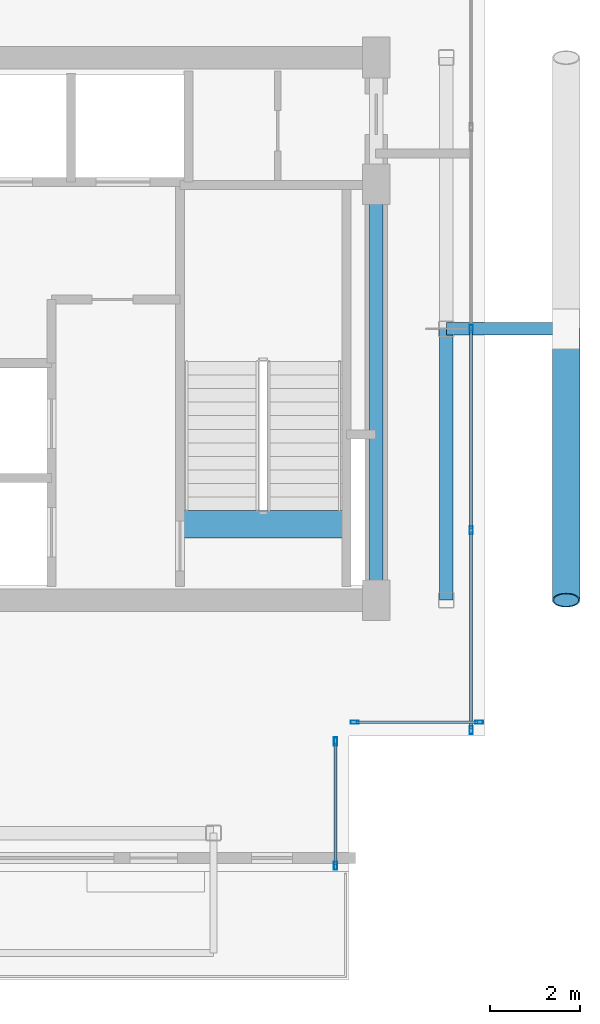
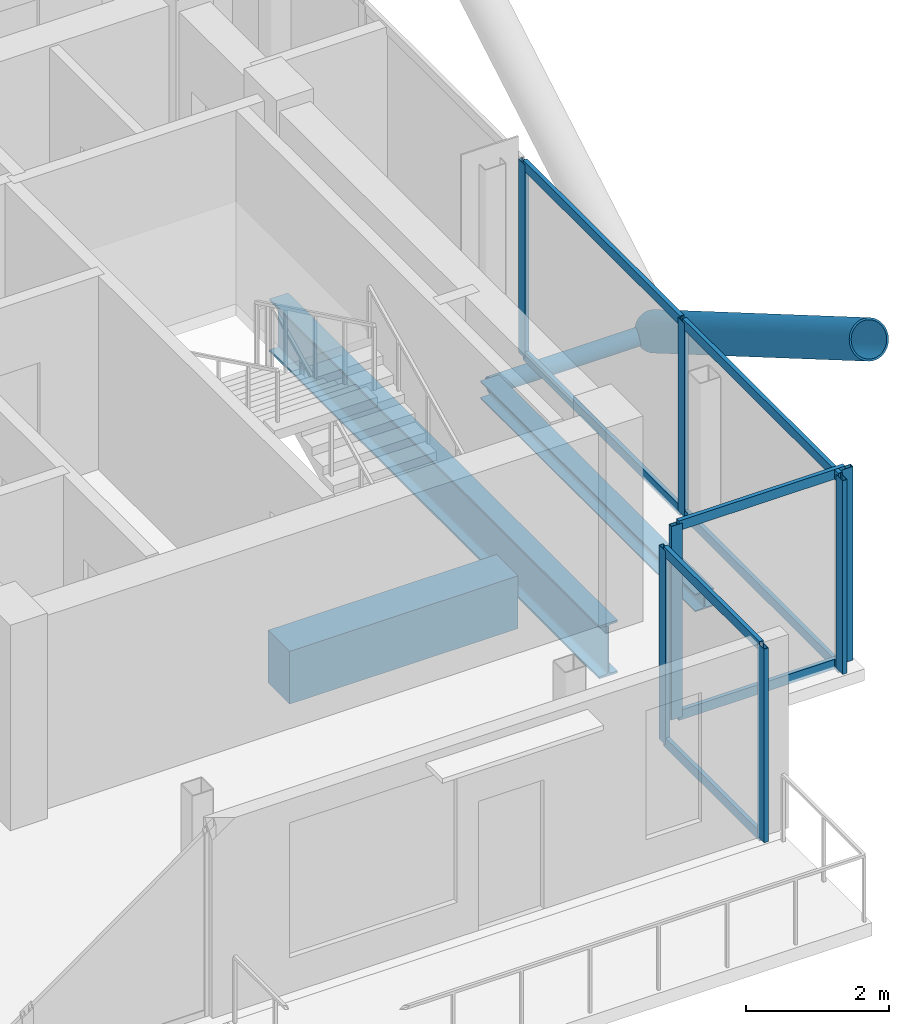
# One storey, part 11 of 18: 17 members, 3 beams, 3 elements without a shape of their own.
"""IFC4 building model written with IfcOpenShell, lengths in metres."""

from ifc_helpers import new_model, si_unit, direction, frame, origin, origin_2d, place, context, subcontext, project, spatial, rectangle, hollow_rectangle, hollow_circle, i_section, extrude, material, layer, layer_set, material_profile, profile_set, type_object, element, aggregate, save


model = new_model("IFC4")

# Units and contexts
model_context = context("Model", 3, precision=1e-05, world=origin(), true_north=direction((0.0, 1.0)))
body_context = subcontext(model_context, "Body", "Model", "MODEL_VIEW")
ifc_project = project(units=[si_unit("LENGTHUNIT", "METRE"), si_unit("AREAUNIT", "SQUARE_METRE"), si_unit("VOLUMEUNIT", "CUBIC_METRE"), si_unit("PLANEANGLEUNIT", "RADIAN"), si_unit("MASSUNIT", "GRAM", prefix="KILO"), si_unit("THERMODYNAMICTEMPERATUREUNIT", "KELVIN"), si_unit("POWERUNIT", "WATT")], contexts=[model_context])

# Site, building, storey
site_placement = place(None, origin())
site = spatial("IfcSite", under=ifc_project, at=site_placement, CompositionType="ELEMENT")
building_placement = place(site_placement, origin())
building = spatial("IfcBuilding", under=site, at=building_placement, Name="Svarakhadi Broadcast Tower", CompositionType="ELEMENT")
storey_placement = place(building_placement, frame((0.0, 0.0, 246.699951171875)))
storey = spatial("IfcBuildingStorey", under=building, at=storey_placement, Name="L61", CompositionType="ELEMENT", Elevation=246.699951171875)

# Curtain wall, members
ifc_material_1 = material(Name="Anodised Bronze Aluminium AA 6063-T6", Category="aluminium")
ifc_layer = layer(ifc_material_1, 0.179931640625)
ifc_layer_set = layer_set([ifc_layer], Name="Anodised Bronze Aluminium AA 6063-T6")
curtain_wall_type = type_object("IfcCurtainWallType", Name="CW_Sys_05", PredefinedType="NOTDEFINED", material=ifc_layer_set)
curtain_wall_1_placement = place(storey_placement, origin())
curtain_wall_1 = element("IfcCurtainWall", 1, at=curtain_wall_1_placement, inside=storey, type_object=curtain_wall_type, Name="L61 Unitised Facade Curtain Wall 12", PredefinedType="NOTDEFINED")
ifc_material_profile_1 = material_profile(ifc_material_1, hollow_rectangle(XDim=0.070068359375, YDim=0.179931640625, WallThickness=0.005615234375, at=origin_2d()), Name="ALU MULLION 180x70x6")
ifc_profile_set_1 = profile_set([ifc_material_profile_1], Name="Anodised Bronze Aluminium AA 6063-T6")
member_type_1 = type_object("IfcMemberType", Name="CW_Sys_05_Mul", PredefinedType="MULLION", material=ifc_profile_set_1)
member_1_placement = place(storey_placement, frame((35.699951171875, 12.0, 0.0), z_axis=(0.0, 0.0, 1.0), x_axis=(1.0, 0.0, 0.0)))
member_1 = element("IfcMember", 2, at=member_1_placement, type_object=member_type_1, Name="CW-05 mullion 3", PredefinedType="MULLION", context=body_context, shape_type="SweptSolid", body=[
    extrude(hollow_rectangle(XDim=0.070068359375, YDim=0.179931640625, WallThickness=0.005615234375, at=origin_2d()), origin(), (0.0, 0.0, 1.0), 3.300048828125),
])
member_2_placement = place(storey_placement, frame((35.699951171875, 7.544921875, 0.0), z_axis=(0.0, 0.0, 1.0), x_axis=(1.0, 0.0, 0.0)))
member_2 = element("IfcMember", 3, at=member_2_placement, type_object=member_type_1, Name="CW-05 mullion 4", PredefinedType="MULLION", context=body_context, shape_type="SweptSolid", body=[
    extrude(hollow_rectangle(XDim=0.070068359375, YDim=0.179931640625, WallThickness=0.005615234375, at=origin_2d()), origin(), (0.0, 0.0, 1.0), 3.300048828125),
])
member_3_placement = place(storey_placement, frame((35.699951171875, 3.125, 0.0), z_axis=(0.0, 0.0, 1.0), x_axis=(1.0, 0.0, 0.0)))
member_3 = element("IfcMember", 4, at=member_3_placement, type_object=member_type_1, Name="CW-05 mullion 5", PredefinedType="MULLION", context=body_context, shape_type="SweptSolid", body=[
    extrude(hollow_rectangle(XDim=0.070068359375, YDim=0.179931640625, WallThickness=0.005615234375, at=origin_2d()), origin(), (0.0, 0.0, 1.0), 3.300048828125),
])

curtain_wall_2_placement = place(storey_placement, origin())
curtain_wall_2 = element("IfcCurtainWall", 5, at=curtain_wall_2_placement, inside=storey, type_object=curtain_wall_type, Name="L61 Unitised Facade Curtain Wall 13", PredefinedType="NOTDEFINED")
member_4_placement = place(storey_placement, frame((35.875, 3.300048828125, 0.0), z_axis=(0.0, 0.0, 1.0), x_axis=(0.0, -1.0, 0.0)))
member_4 = element("IfcMember", 6, at=member_4_placement, type_object=member_type_1, Name="CW-05 mullion 1", PredefinedType="MULLION", context=body_context, shape_type="SweptSolid", body=[
    extrude(hollow_rectangle(XDim=0.070068359375, YDim=0.179931640625, WallThickness=0.005615234375, at=origin_2d()), origin(), (0.0, 0.0, 1.0), 3.300048828125),
])
member_5_placement = place(storey_placement, frame((33.125, 3.300048828125, 0.0), z_axis=(0.0, 0.0, 1.0), x_axis=(0.0, -1.0, 0.0)))
member_5 = element("IfcMember", 7, at=member_5_placement, type_object=member_type_1, Name="CW-05 mullion 2", PredefinedType="MULLION", context=body_context, shape_type="SweptSolid", body=[
    extrude(hollow_rectangle(XDim=0.070068359375, YDim=0.179931640625, WallThickness=0.005615234375, at=origin_2d()), origin(), (0.0, 0.0, 1.0), 3.300048828125),
])

curtain_wall_3_placement = place(storey_placement, origin())
curtain_wall_3 = element("IfcCurtainWall", 8, at=curtain_wall_3_placement, inside=storey, type_object=curtain_wall_type, Name="L61 Unitised Facade Curtain Wall 14", PredefinedType="NOTDEFINED")
member_6_placement = place(storey_placement, frame((32.699951171875, 2.875, 0.0), z_axis=(0.0, 0.0, 1.0), x_axis=(1.0, 0.0, 0.0)))
member_6 = element("IfcMember", 9, at=member_6_placement, type_object=member_type_1, Name="CW-05 mullion 1", PredefinedType="MULLION", context=body_context, shape_type="SweptSolid", body=[
    extrude(hollow_rectangle(XDim=0.070068359375, YDim=0.179931640625, WallThickness=0.005615234375, at=origin_2d()), origin(), (0.0, 0.0, 1.0), 3.300048828125),
])
member_7_placement = place(storey_placement, frame((32.699951171875, 0.125, 0.0), z_axis=(0.0, 0.0, 1.0), x_axis=(1.0, 0.0, 0.0)))
member_7 = element("IfcMember", 10, at=member_7_placement, type_object=member_type_1, Name="CW-05 mullion 2", PredefinedType="MULLION", context=body_context, shape_type="SweptSolid", body=[
    extrude(hollow_rectangle(XDim=0.070068359375, YDim=0.179931640625, WallThickness=0.005615234375, at=origin_2d()), origin(), (0.0, 0.0, 1.0), 3.300048828125),
])

# Member
ifc_material_profile_2 = material_profile(ifc_material_1, hollow_rectangle(XDim=0.06494140625, YDim=0.1650390625, WallThickness=0.0048828125, at=origin_2d()), Name="ALU TRANSOM 165x65x5")
ifc_profile_set_2 = profile_set([ifc_material_profile_2], Name="Anodised Bronze Aluminium AA 6063-T6")
member_type_2 = type_object("IfcMemberType", Name="CW_Sys_05_Trn", PredefinedType="USERDEFINED", material=ifc_profile_set_2)
member_8_placement = place(storey_placement, frame((35.699951171875, 11.965087890625, 0.032470703125), z_axis=(0.0, -1.0, 0.0), x_axis=(1.0, 0.0, 0.0)))
member_8 = element("IfcMember", 11, at=member_8_placement, type_object=member_type_2, Name="CW-05 transom 3.1", ObjectType="TRANSOM", PredefinedType="USERDEFINED", context=body_context, shape_type="SweptSolid", body=[
    extrude(hollow_rectangle(XDim=0.06494140625, YDim=0.1650390625, WallThickness=0.0048828125, at=origin_2d()), origin(), (0.0, 0.0, 1.0), 4.385009765625),
])

member_9_placement = place(storey_placement, frame((35.699951171875, 11.965087890625, 3.267578125), z_axis=(0.0, -1.0, 0.0), x_axis=(1.0, 0.0, 0.0)))
member_9 = element("IfcMember", 12, at=member_9_placement, type_object=member_type_2, Name="CW-05 transom 3.2", ObjectType="TRANSOM", PredefinedType="USERDEFINED", context=body_context, shape_type="SweptSolid", body=[
    extrude(hollow_rectangle(XDim=0.06494140625, YDim=0.1650390625, WallThickness=0.0048828125, at=origin_2d()), origin(), (0.0, 0.0, 1.0), 4.385009765625),
])

member_10_placement = place(storey_placement, frame((35.699951171875, 7.510009765625, 0.032470703125), z_axis=(0.0, -1.0, 0.0), x_axis=(1.0, 0.0, 0.0)))
member_10 = element("IfcMember", 13, at=member_10_placement, type_object=member_type_2, Name="CW-05 transom 4.1", ObjectType="TRANSOM", PredefinedType="USERDEFINED", context=body_context, shape_type="SweptSolid", body=[
    extrude(hollow_rectangle(XDim=0.06494140625, YDim=0.1650390625, WallThickness=0.0048828125, at=origin_2d()), origin(), (0.0, 0.0, 1.0), 4.35009765625),
])

member_11_placement = place(storey_placement, frame((35.699951171875, 7.510009765625, 3.267578125), z_axis=(0.0, -1.0, 0.0), x_axis=(1.0, 0.0, 0.0)))
member_11 = element("IfcMember", 14, at=member_11_placement, type_object=member_type_2, Name="CW-05 transom 4.2", ObjectType="TRANSOM", PredefinedType="USERDEFINED", context=body_context, shape_type="SweptSolid", body=[
    extrude(hollow_rectangle(XDim=0.06494140625, YDim=0.1650390625, WallThickness=0.0048828125, at=origin_2d()), origin(), (0.0, 0.0, 1.0), 4.35009765625),
])

aggregate(curtain_wall_1, [member_1, member_2, member_3, member_8, member_9, member_10, member_11])

member_12_placement = place(storey_placement, frame((35.840087890625, 3.300048828125, 0.032470703125), z_axis=(-1.0, 0.0, 0.0), x_axis=(0.0, -1.0, 0.0)))
member_12 = element("IfcMember", 15, at=member_12_placement, type_object=member_type_2, Name="CW-05 transom 1.1", ObjectType="TRANSOM", PredefinedType="USERDEFINED", context=body_context, shape_type="SweptSolid", body=[
    extrude(hollow_rectangle(XDim=0.06494140625, YDim=0.1650390625, WallThickness=0.0048828125, at=origin_2d()), origin(), (0.0, 0.0, 1.0), 2.68017578125),
])

member_13_placement = place(storey_placement, frame((35.840087890625, 3.300048828125, 3.267578125), z_axis=(-1.0, 0.0, 0.0), x_axis=(0.0, -1.0, 0.0)))
member_13 = element("IfcMember", 16, at=member_13_placement, type_object=member_type_2, Name="CW-05 transom 1.2", ObjectType="TRANSOM", PredefinedType="USERDEFINED", context=body_context, shape_type="SweptSolid", body=[
    extrude(hollow_rectangle(XDim=0.06494140625, YDim=0.1650390625, WallThickness=0.0048828125, at=origin_2d()), origin(), (0.0, 0.0, 1.0), 2.68017578125),
])

aggregate(curtain_wall_2, [member_4, member_5, member_12, member_13])

member_14_placement = place(storey_placement, frame((32.699951171875, 2.840087890625, 0.032470703125), z_axis=(0.0, -1.0, 0.0), x_axis=(1.0, 0.0, 0.0)))
member_14 = element("IfcMember", 17, at=member_14_placement, type_object=member_type_2, Name="CW-05 transom 1.1", ObjectType="TRANSOM", PredefinedType="USERDEFINED", context=body_context, shape_type="SweptSolid", body=[
    extrude(hollow_rectangle(XDim=0.06494140625, YDim=0.1650390625, WallThickness=0.0048828125, at=origin_2d()), origin(), (0.0, 0.0, 1.0), 2.68017578125),
])

member_15_placement = place(storey_placement, frame((32.699951171875, 2.840087890625, 3.267578125), z_axis=(0.0, -1.0, 0.0), x_axis=(1.0, 0.0, 0.0)))
member_15 = element("IfcMember", 18, at=member_15_placement, type_object=member_type_2, Name="CW-05 transom 1.2", ObjectType="TRANSOM", PredefinedType="USERDEFINED", context=body_context, shape_type="SweptSolid", body=[
    extrude(hollow_rectangle(XDim=0.06494140625, YDim=0.1650390625, WallThickness=0.0048828125, at=origin_2d()), origin(), (0.0, 0.0, 1.0), 2.68017578125),
])

aggregate(curtain_wall_3, [member_6, member_7, member_14, member_15])

# Beam
ifc_material_2 = material(Name="Concrete C50/60 (IS 456 M60)", Category="concrete")
ifc_material_profile_3 = material_profile(ifc_material_2, rectangle(XDim=0.60009765625, YDim=0.89990234375, at=origin_2d()), Name="RC 600x900")
ifc_profile_set_3 = profile_set([ifc_material_profile_3], Name="Concrete C50/60 (IS 456 M60)")
beam_type_1 = type_object("IfcBeamType", Name="Coupling_RC600", PredefinedType="USERDEFINED", material=ifc_profile_set_3)
beam_1_placement = place(storey_placement, frame((29.260009765625, 7.679931640625, -0.449951171875), z_axis=(1.0, 0.0, 0.0), x_axis=(0.0, 1.0, 0.0)))
element("IfcBeam", 19, at=beam_1_placement, inside=storey, type_object=beam_type_1, Name="L61 Stair ST-02 Landing Throat Trimmer Beam CB-01", ObjectType="GIRDER", PredefinedType="USERDEFINED", context=body_context, shape_type="SweptSolid", body=[
    extrude(rectangle(XDim=0.60009765625, YDim=0.89990234375, at=origin_2d()), origin(), (0.0, 0.0, 1.0), 3.679931640625),
])

# Members
ifc_material_3 = material(Name="Steel S460ML (IS 2062 E450BR)", Category="steel")
ifc_material_profile_4 = material_profile(ifc_material_3, hollow_circle(Radius=0.304931640625, WallThickness=0.030029296875, at=origin_2d()), Name="CHS 610x30")
ifc_profile_set_4 = profile_set([ifc_material_profile_4], Name="Steel S460ML (IS 2062 E450BR)")
member_type_3 = type_object("IfcMemberType", Name="Exo_Brace_CHS610", PredefinedType="BRACE", material=ifc_profile_set_4)
member_16_placement = place(storey_placement, frame((37.800048828125, 12.0, -0.33642578125), z_axis=(0.0, -0.863778900898, 0.503871025524), x_axis=(1.0, 0.0, 0.0)))
element("IfcMember", 20, at=member_16_placement, inside=storey, type_object=member_type_3, Name="L61 Exposed Bronze Exoskeleton Diagonal E04", PredefinedType="BRACE", context=body_context, shape_type="SweptSolid", body=[
    extrude(hollow_circle(Radius=0.304931640625, WallThickness=0.030029296875, at=origin_2d()), origin(), (0.0, 0.0, 1.0), 6.9462890625),
])
ifc_material_profile_5 = material_profile(ifc_material_3, hollow_circle(Radius=0.136474609375, WallThickness=0.012451171875, at=origin_2d()), Name="CHS 273x12.5")
ifc_profile_set_5 = profile_set([ifc_material_profile_5], Name="Steel S460ML (IS 2062 E450BR)")
member_type_4 = type_object("IfcMemberType", Name="Exo_Radial_Strut_Z3", PredefinedType="STRUT", material=ifc_profile_set_5)
member_17_placement = place(storey_placement, frame((37.800048828125, 12.0, -0.33642578125), z_axis=(-1.0, 0.0, 0.0), x_axis=(0.0, -1.0, 0.0)))
element("IfcMember", 21, at=member_17_placement, inside=storey, type_object=member_type_4, Name="L61 Exoskeleton Radial Tie Strut E03", PredefinedType="STRUT", context=body_context, shape_type="SweptSolid", body=[
    extrude(hollow_circle(Radius=0.136474609375, WallThickness=0.012451171875, at=origin_2d()), origin(), (0.0, 0.0, 1.0), 2.650146484375),
])

# Beams
ifc_material_4 = material(Name="Steel S355J2 (IS 2062 E350C)", Category="steel")
ifc_material_profile_6 = material_profile(ifc_material_4, i_section(OverallWidth=0.300048828125, OverallDepth=0.300048828125, WebThickness=0.010986328125, FlangeThickness=0.01904296875, FilletRadius=0.027099609375, at=origin_2d()), Name="WPB 300x300x117")
ifc_profile_set_6 = profile_set([ifc_material_profile_6], Name="Steel S355J2 (IS 2062 E350C)")
beam_type_2 = type_object("IfcBeamType", Name="Girder_WPB300", PredefinedType="USERDEFINED", material=ifc_profile_set_6)
beam_2_placement = place(storey_placement, frame((35.14990234375, 6.0, -0.349853515625), z_axis=(0.0, 1.0, 0.0), x_axis=(-1.0, 0.0, 0.0)))
element("IfcBeam", 22, at=beam_2_placement, inside=storey, type_object=beam_type_2, Name="L61 Primary N-S Girder G045", ObjectType="GIRDER", PredefinedType="USERDEFINED", context=body_context, shape_type="SweptSolid", body=[
    extrude(i_section(OverallWidth=0.300048828125, OverallDepth=0.300048828125, WebThickness=0.010986328125, FlangeThickness=0.01904296875, FilletRadius=0.027099609375, at=origin_2d()), origin(), (0.0, 0.0, 1.0), 6.0),
])
ifc_material_profile_7 = material_profile(ifc_material_3, i_section(OverallWidth=0.300048828125, OverallDepth=0.89990234375, WebThickness=0.0185546875, FlangeThickness=0.034912109375, FilletRadius=0.030029296875, at=origin_2d()), Name="WPB 900x300x291")
ifc_profile_set_7 = profile_set([ifc_material_profile_7], Name="Steel S460ML (IS 2062 E450BR)")
beam_type_3 = type_object("IfcBeamType", Name="Girder_WPB900", PredefinedType="USERDEFINED", material=ifc_profile_set_7)
beam_3_placement = place(storey_placement, frame((33.60009765625, 6.0, -0.64990234375), z_axis=(0.0, 1.0, 0.0), x_axis=(-1.0, 0.0, 0.0)))
element("IfcBeam", 23, at=beam_3_placement, inside=storey, type_object=beam_type_3, Name="L61 Primary N-S Girder G043", ObjectType="GIRDER", PredefinedType="USERDEFINED", context=body_context, shape_type="SweptSolid", body=[
    extrude(i_section(OverallWidth=0.300048828125, OverallDepth=0.89990234375, WebThickness=0.0185546875, FlangeThickness=0.034912109375, FilletRadius=0.030029296875, at=origin_2d()), origin(), (0.0, 0.0, 1.0), 9.199951171875),
])

save(model, "model.ifc")
